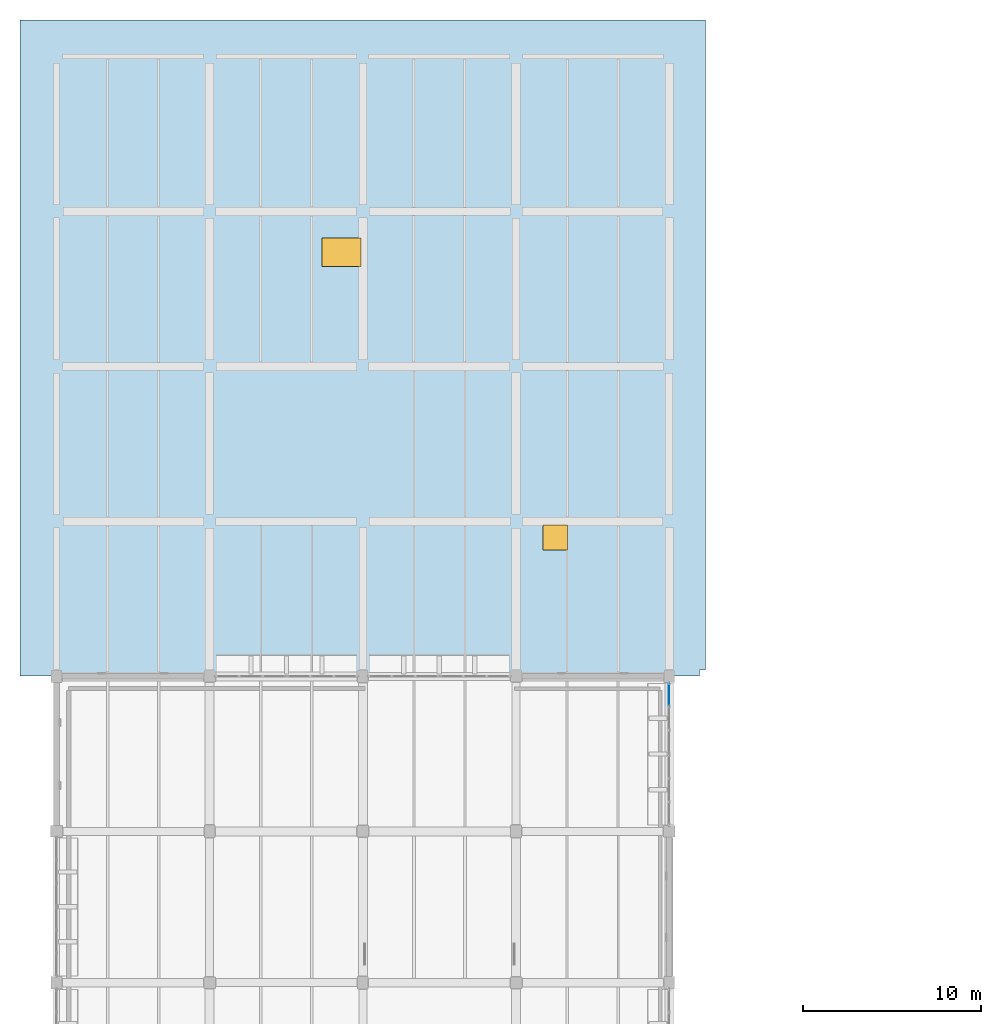
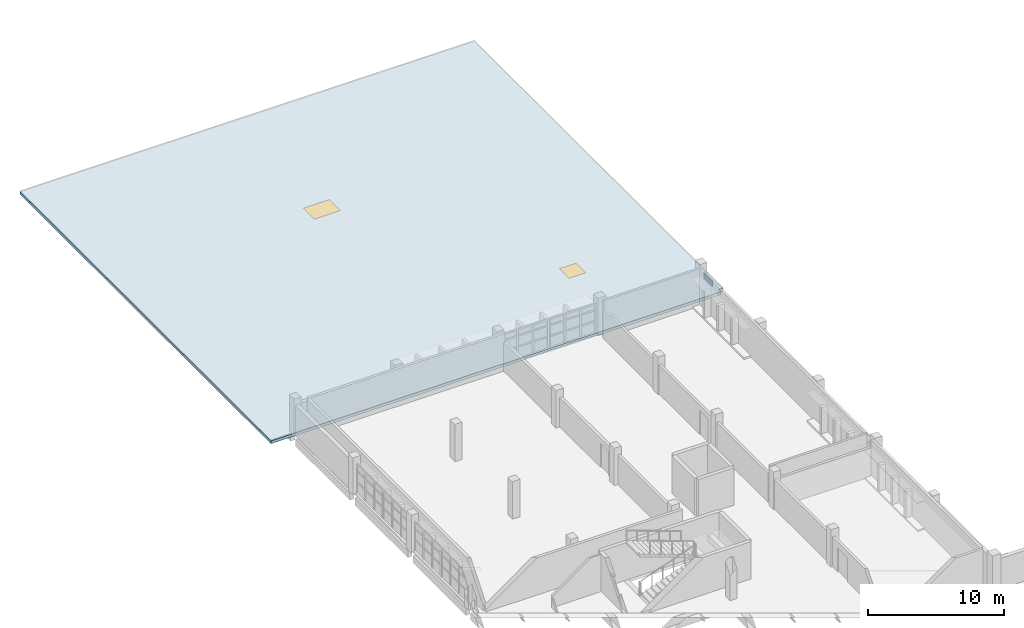
# One storey, part 71 of 93: 2 windows, 1 plate, 1 slab, 2 openings, 1 element without a shape of its own.
"""IFC4 building model written with IfcOpenShell, lengths in metres."""

from ifc_helpers import new_model, si_unit, direction, frame, origin, origin_2d, place, context, subcontext, project, spatial, polyline, rectangle, outline, extrude, material, layer, layer_set, type_object, element, fill, aggregate, save


model = new_model("IFC4")

# Units and contexts
model_context = context("Model", 3, precision=1e-05, world=origin(), true_north=direction((0.0, 1.0)))
body_context = subcontext(model_context, "Body", "Model", "MODEL_VIEW")
ifc_project = project(units=[si_unit("LENGTHUNIT", "METRE"), si_unit("AREAUNIT", "SQUARE_METRE"), si_unit("VOLUMEUNIT", "CUBIC_METRE"), si_unit("PLANEANGLEUNIT", "RADIAN"), si_unit("MASSUNIT", "GRAM", prefix="KILO")], contexts=[model_context])

# Site, building, storey
site_placement = place(None, origin())
site = spatial("IfcSite", under=ifc_project, at=site_placement, CompositionType="ELEMENT")
building_placement = place(site_placement, origin())
building = spatial("IfcBuilding", under=site, at=building_placement, Name="Varnakota Cinema and Media Centre", CompositionType="ELEMENT")
storey_placement = place(building_placement, frame((0.0, 0.0, 12.0)))
storey = spatial("IfcBuildingStorey", under=building, at=storey_placement, Name="L03", CompositionType="ELEMENT", Elevation=12.0)

# Curtain wall, plate
ifc_material_1 = material(Name="Thermally broken anodised aluminium AW-6063", Category="aluminium")
curtain_wall_type = type_object("IfcCurtainWallType", Name="CW-STD-399x264", PredefinedType="USERDEFINED", material=ifc_material_1)
curtain_wall_placement = place(storey_placement, origin())
curtain_wall = element("IfcCurtainWall", 1, at=curtain_wall_placement, inside=storey, type_object=curtain_wall_type, Name="L03 curtain wall CW-L03-V5-E-05-2", ObjectType="UNITISED CURTAIN WALL", PredefinedType="USERDEFINED")
ifc_material_2 = material(Name="Laminated solar-control double glazing", Category="glass")
ifc_layer_1 = layer(ifc_material_2, 0.028076171875)
ifc_layer_set_1 = layer_set([ifc_layer_1], Name="Laminated solar-control double glazing")
plate_type = type_object("IfcPlateType", Name="CWP-DGU-28", PredefinedType="CURTAIN_PANEL", material=ifc_layer_set_1)
plate_placement = place(storey_placement, frame((34.39990234375, 77.168212890625, 2.087890625), z_axis=(0.0, 0.0, 1.0), x_axis=(0.0, 1.0, 0.0)))
plate = element("IfcPlate", 2, at=plate_placement, type_object=plate_type, Name="CW43 panel 3.3", PredefinedType="CURTAIN_PANEL", context=body_context, shape_type="SweptSolid", body=[
    extrude(rectangle(XDim=1.2333984375, YDim=0.028076171875, at=origin_2d()), origin(), (0.0, 0.0, 1.0), 0.482177734375),
])
aggregate(curtain_wall, [plate])

# Slab, openings, windows
ifc_material_3 = material(Name="Concrete M35", Category="concrete")
ifc_layer_2 = layer(ifc_material_3, 0.260009765625)
ifc_layer_set_2 = layer_set([ifc_layer_2], Name="Concrete M35")
slab_type = type_object("IfcSlabType", Name="SLB-ROOF-260", PredefinedType="ROOF", material=ifc_layer_set_2)
slab_placement = place(storey_placement, frame((0.0, 0.0, -0.260009765625)))
slab = element("IfcSlab", 3, at=slab_placement, inside=storey, type_object=slab_type, Name="L03 overhanging cool roof ROOF-V7-MAIN", PredefinedType="ROOF", context=body_context, shape_type="SweptSolid", body=[
    extrude(outline(polyline([(-2.050048828125, 78.219970703125), (36.10009765625, 78.219970703125), (36.10009765625, 78.570068359375), (36.449951171875, 78.570068359375), (36.449951171875, 115.050048828125), (-2.050048828125, 115.050048828125), (-2.050048828125, 78.219970703125)])), origin(), (0.0, 0.0, 1.0), 0.260009765625),
])
opening_1_placement = place(slab_placement, frame((16.0, 102.0, 0.0)))
opening_1 = element("IfcOpeningElement", 4, at=opening_1_placement, cuts=slab, Name="Opening SK4", PredefinedType="OPENING", context=body_context, shape_type="SweptSolid", body=[
    extrude(rectangle(XDim=2.199951171875, YDim=1.60009765625, at=origin_2d()), origin(), (0.0, 0.0, 1.0), 0.260009765625),
])
opening_2_placement = place(slab_placement, frame((28.0, 86.0, 0.0)))
opening_2 = element("IfcOpeningElement", 5, at=opening_2_placement, cuts=slab, Name="Opening SK1", PredefinedType="OPENING", context=body_context, shape_type="SweptSolid", body=[
    extrude(rectangle(XDim=1.39990234375, YDim=1.39990234375, at=origin_2d()), origin(), (0.0, 0.0, 1.0), 0.260009765625),
])
ifc_material_4 = material(Name="Laminated solar-control double glazing", Category="glass")
window_type_1 = type_object("IfcWindowType", Name="SKY-HATCH-1", PartitioningType="SINGLE_PANEL", PredefinedType="SKYLIGHT", material=ifc_material_4)
window_1_placement = place(opening_2_placement, frame((0.0, 0.0, 0.2099609375)))
window_1 = element("IfcWindow", 6, at=window_1_placement, inside=storey, type_object=window_type_1, Name="L03 acoustic smoke-vent skylight SKY-L03-5", OverallHeight=1.39990234375, OverallWidth=1.39990234375, PartitioningType="SINGLE_PANEL", PredefinedType="SKYLIGHT", context=body_context, shape_type="SweptSolid", body=[
    extrude(rectangle(XDim=1.39990234375, YDim=1.39990234375, at=origin_2d()), origin(), (0.0, 0.0, 1.0), 0.050048828125),
])
fill(opening_2, window_1)
ifc_material_5 = material(Name="Laminated solar-control double glazing", Category="glass")
window_type_2 = type_object("IfcWindowType", Name="SKY-HATCH-4", PartitioningType="SINGLE_PANEL", PredefinedType="SKYLIGHT", material=ifc_material_5)
window_2_placement = place(opening_1_placement, frame((0.0, 0.0, 0.2099609375)))
window_2 = element("IfcWindow", 7, at=window_2_placement, inside=storey, type_object=window_type_2, Name="L03 acoustic smoke-vent skylight SKY-L03-4", OverallHeight=1.60009765625, OverallWidth=2.199951171875, PartitioningType="SINGLE_PANEL", PredefinedType="SKYLIGHT", context=body_context, shape_type="SweptSolid", body=[
    extrude(rectangle(XDim=2.199951171875, YDim=1.60009765625, at=origin_2d()), origin(), (0.0, 0.0, 1.0), 0.050048828125),
])
fill(opening_1, window_2)

save(model, "model.ifc")
